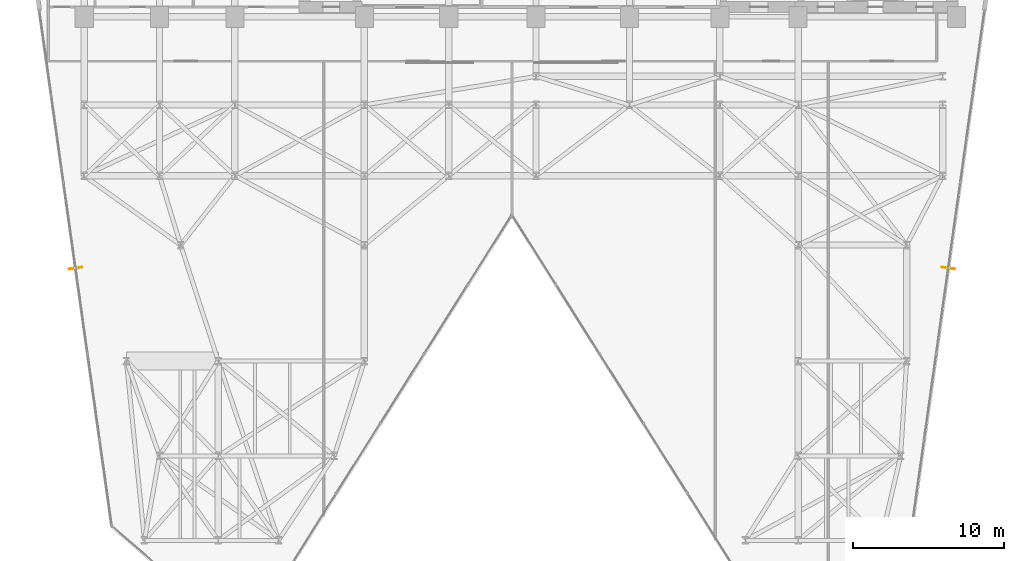
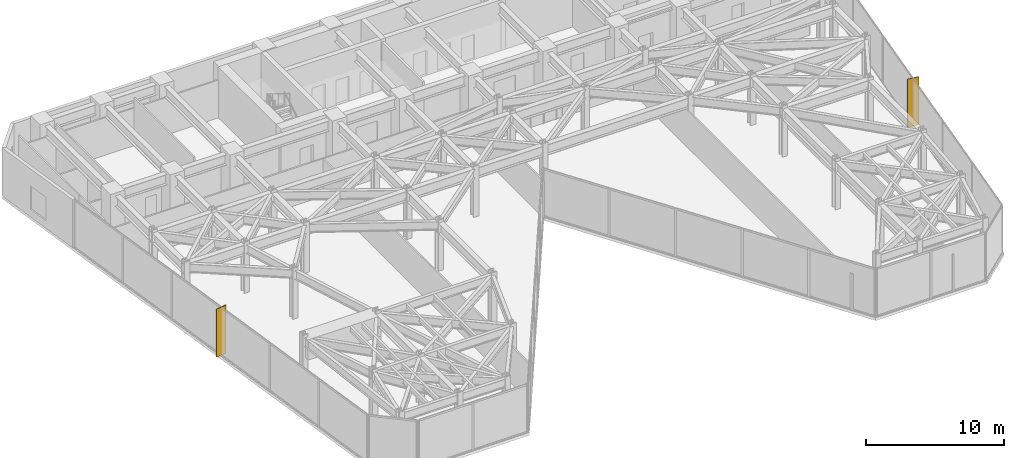
# One storey, part 26 of 28: 2 shading devices.
"""IFC4 building model written with IfcOpenShell, lengths in metres."""

import ifcopenshell
import ifcopenshell.guid

model = None  # the IFC model being written
_history = None  # IfcOwnerHistory: only IFC2X3 demands one
_inside = {}  # id of a spatial element -> (the spatial element, [elements in it])
_under = {}  # id of a project, library or spatial element -> (it, [spatial elements below it])
_declared = {}  # id of a project -> (the project, [libraries it declares])
_typed = {}  # id of a type object -> (the type object, [elements of that type])
_made_of = {}  # id of a material, layer set ... -> (it, [elements and type objects made of it])


def new_model(schema):
    """Start an empty IFC model of exactly this schema.

    Asked for "IFC4X3", IfcOpenShell would pick the latest addendum, in which some entities
    have other attributes; the version numbers below select the first issue.
    IFC2X3 requires an IfcOwnerHistory on every rooted entity: one is made here for all.
    """
    global model, _history
    if schema == "IFC4X3":
        model = ifcopenshell.file(schema_version=(4, 3, 0, 0))
    else:
        model = ifcopenshell.file(schema=schema)
    _inside.clear()
    _under.clear()
    _declared.clear()
    _typed.clear()
    _made_of.clear()
    _history = None
    if model.schema == "IFC2X3":
        org = make("IfcOrganization", Name="unknown")
        user = make(
            "IfcPersonAndOrganization",
            ThePerson=make("IfcPerson", FamilyName="unknown"),
            TheOrganization=org,
        )
        app = make(
            "IfcApplication",
            ApplicationDeveloper=org,
            Version="unknown",
            ApplicationFullName="unknown",
            ApplicationIdentifier="unknown",
        )
        _history = make(
            "IfcOwnerHistory",
            OwningUser=user,
            OwningApplication=app,
            ChangeAction="ADDED",
            CreationDate=0,
        )
    return model


def make(cls, **values):
    """One entity of the class cls with the attributes given. An attribute that is None is left unset."""
    return model.create_entity(
        cls, **{name: value for name, value in values.items() if value is not None}
    )


def rooted(cls, **values):
    """An entity with a GlobalId (a new one), such as an element, a storey or a relation."""
    return make(cls, GlobalId=ifcopenshell.guid.new(), OwnerHistory=_history, **values)


def si_unit(unit_type, name, prefix=None):
    """IfcSIUnit, for example si_unit("LENGTHUNIT", "METRE", prefix="MILLI")."""
    return make("IfcSIUnit", UnitType=unit_type, Prefix=prefix, Name=name)


def assignment(units):
    """IfcUnitAssignment: the units of a project."""
    return None if units is None else make("IfcUnitAssignment", Units=units)


def point(xyz):
    """IfcCartesianPoint."""
    return None if xyz is None else make("IfcCartesianPoint", Coordinates=xyz)


def direction(xyz):
    """IfcDirection."""
    return None if xyz is None else make("IfcDirection", DirectionRatios=xyz)


def frame(location, z_axis=None, x_axis=None):
    """IfcAxis2Placement3D, a coordinate frame: its origin and axes. An axis left out is left unset."""
    return make(
        "IfcAxis2Placement3D",
        Location=point(location),
        Axis=direction(z_axis),
        RefDirection=direction(x_axis),
    )


def frame_2d(location, x_axis=None):
    """IfcAxis2Placement2D, a coordinate frame in the plane: its origin and x axis."""
    return make(
        "IfcAxis2Placement2D", Location=point(location), RefDirection=direction(x_axis)
    )


def origin():
    """The frame at (0, 0, 0) with its axes left unset."""
    return frame((0.0, 0.0, 0.0))


def origin_2d():
    """The frame at (0, 0) in the plane with its x axis left unset."""
    return frame_2d((0.0, 0.0))


def place(relative_to, where):
    """IfcLocalPlacement: puts the frame where relative to a parent placement (None: the world)."""
    return make(
        "IfcLocalPlacement", PlacementRelTo=relative_to, RelativePlacement=where
    )


def context(
    kind, dimensions, precision=None, world=None, true_north=None, identifier=None
):
    """IfcGeometricRepresentationContext, for example the 3D "Model" context."""
    return make(
        "IfcGeometricRepresentationContext",
        ContextIdentifier=identifier,
        ContextType=kind,
        CoordinateSpaceDimension=dimensions,
        Precision=precision,
        WorldCoordinateSystem=world,
        TrueNorth=true_north,
    )


def subcontext(parent, identifier, kind, view, scale=None):
    """IfcGeometricRepresentationSubContext, for example "Body" below "Model"."""
    return make(
        "IfcGeometricRepresentationSubContext",
        ContextIdentifier=identifier,
        ContextType=kind,
        ParentContext=parent,
        TargetScale=scale,
        TargetView=view,
    )


def project(units=None, contexts=None):
    """IfcProject with its units and contexts."""
    return rooted(
        "IfcProject",
        Name="project",
        RepresentationContexts=contexts,
        UnitsInContext=assignment(units),
    )


def spatial(cls, under=None, at=None, **own):
    """A site, building, storey or space (cls), placed at a placement, below another one or the project."""
    s = rooted(cls, ObjectPlacement=at, **own)
    if under is not None:
        _under.setdefault(under.id(), (under, []))[1].append(s)
    return s


def profile(cls, at=None, kind="AREA", **sizes):
    """A parametric profile (cls). Its sizes go by their IFC names, for example OverallWidth=200.0."""
    return make(cls, ProfileType=kind, Position=at, **sizes)


def rectangle(**sizes):
    """IfcRectangleProfileDef."""
    return profile("IfcRectangleProfileDef", **sizes)


def extrude(swept, where, along, depth):
    """IfcExtrudedAreaSolid: the profile swept, set in the frame where, extruded along a direction by depth."""
    return make(
        "IfcExtrudedAreaSolid",
        SweptArea=swept,
        Position=where,
        ExtrudedDirection=direction(along),
        Depth=depth,
    )


def shape(context_of_items, identifier, shape_type, items):
    """IfcShapeRepresentation: the items that make up one representation, for example the "Body"."""
    return make(
        "IfcShapeRepresentation",
        ContextOfItems=context_of_items,
        RepresentationIdentifier=identifier,
        RepresentationType=shape_type,
        Items=items,
    )


def material(Name=None, Category=None):
    """IfcMaterial."""
    return make("IfcMaterial", Name=Name, Category=Category)


def layer(
    of_material, thickness, ventilated=None, Name=None, Category=None, Priority=None
):
    """IfcMaterialLayer: one layer of a wall or slab, of a material (None: an air gap)."""
    return make(
        "IfcMaterialLayer",
        Material=of_material,
        LayerThickness=thickness,
        IsVentilated=ventilated,
        Name=Name,
        Category=Category,
        Priority=Priority,
    )


def layer_set(layers, Name=None):
    """IfcMaterialLayerSet."""
    return make("IfcMaterialLayerSet", MaterialLayers=layers, LayerSetName=Name)


def made_of(thing, what):
    """Note that an element or type object is made of a material, layer set ...; save() writes the relation."""
    if what is not None:
        _made_of.setdefault(what.id(), (what, []))[1].append(thing)
    return thing


def type_object(cls, material=None, **own):
    """A type object (cls), such as IfcWallType, which elements share."""
    return made_of(rooted(cls, **own), material)


def element(
    cls,
    number,
    at=None,
    inside=None,
    cuts=None,
    type_object=None,
    material=None,
    context=None,
    identifier="Body",
    shape_type=None,
    held_by="IfcProductDefinitionShape",
    body=None,
    shapes=None,
    **own,
):
    """One element of the class cls, such as IfcWall. Its Tag is "e" and its number.

    at: its placement. inside: the storey or other place that contains it. cuts: it is an
    opening in that element (IfcRelVoidsElement). A single representation is given by context,
    identifier, shape_type and body (its items); several are given by shapes. held_by: the class
    of the entity that holds the representations. save() writes the other relations.
    """
    e = rooted(cls, Tag="e%d" % number, ObjectPlacement=at, **own)
    if body is not None:
        shapes = [shape(context, identifier, shape_type, body)]
    if shapes is not None:
        e.Representation = make(held_by, Representations=shapes)
    if inside is not None:
        _inside.setdefault(inside.id(), (inside, []))[1].append(e)
    if cuts is not None:
        rooted(
            "IfcRelVoidsElement", RelatingBuildingElement=cuts, RelatedOpeningElement=e
        )
    if type_object is not None:
        _typed.setdefault(type_object.id(), (type_object, []))[1].append(e)
    return made_of(e, material)


def aggregate(whole, parts):
    """IfcRelAggregates: a whole, such as a stair, and the parts it consists of."""
    return rooted("IfcRelAggregates", RelatingObject=whole, RelatedObjects=parts)


def save(model, path):
    """Write the relations noted so far, then the file.

    IfcRelAggregates (storeys below a building ...), IfcRelContainedInSpatialStructure (elements
    in a storey), IfcRelDefinesByType, IfcRelAssociatesMaterial and IfcRelDeclares: one each for
    every whole, place, type object, material and project.
    """
    for whole, parts in _under.values():
        aggregate(whole, parts)
    for where, things in _inside.values():
        rooted(
            "IfcRelContainedInSpatialStructure",
            RelatedElements=things,
            RelatingStructure=where,
        )
    for kind, things in _typed.values():
        rooted("IfcRelDefinesByType", RelatedObjects=things, RelatingType=kind)
    for what, things in _made_of.values():
        rooted("IfcRelAssociatesMaterial", RelatedObjects=things, RelatingMaterial=what)
    for by, libraries in _declared.values():
        rooted("IfcRelDeclares", RelatingContext=by, RelatedDefinitions=libraries)
    model.write(path)


model = new_model("IFC4")

# Units and contexts
model_context = context("Model", 3, precision=1e-05, world=origin(), true_north=direction((0.0, 1.0)))
body_context = subcontext(model_context, "Body", "Model", "MODEL_VIEW")
ifc_project = project(units=[si_unit("LENGTHUNIT", "METRE"), si_unit("AREAUNIT", "SQUARE_METRE"), si_unit("VOLUMEUNIT", "CUBIC_METRE"), si_unit("PLANEANGLEUNIT", "RADIAN"), si_unit("MASSUNIT", "GRAM", prefix="KILO")], contexts=[model_context])

# Site, building, storey
site_placement = place(None, origin())
site = spatial("IfcSite", under=ifc_project, at=site_placement, CompositionType="ELEMENT")
building_placement = place(site_placement, origin())
building = spatial("IfcBuilding", under=site, at=building_placement, Name="Kravanh Interchange Tower", CompositionType="ELEMENT")
storey_placement = place(building_placement, frame((0.0, 0.0, 91.5)))
storey = spatial("IfcBuildingStorey", under=building, at=storey_placement, Name="L21", CompositionType="ELEMENT", Elevation=91.5)

# Shading devices
ifc_material = material(Name="Anodised Champagne Bronze Aluminium", Category="aluminium")
ifc_layer = layer(ifc_material, 0.06005859375)
ifc_layer_set = layer_set([ifc_layer], Name="Vertical Bronze Solar Fin 900mm")
shading_device_type = type_object("IfcShadingDeviceType", Name="Vertical Bronze Solar Fin 900mm", PredefinedType="USERDEFINED", material=ifc_layer_set)
for number, where, z_axis, x_axis, name in (
    (1, (8.03271484375, 20.66845703125, 0.0), (0.0, 0.0, 1.0), (-0.990267798532, -0.139175023587, 0.0), "L21 BRONZE SOLAR FIN 1"),
    (2, (65.96728515625, 20.66845703125, 0.0), (0.0, 0.0, 1.0), (0.990267798532, -0.139175023587, 0.0), "L21 BRONZE SOLAR FIN 2"),
):
    element("IfcShadingDevice", number, at=place(storey_placement, frame(where, z_axis=z_axis, x_axis=x_axis)), inside=storey, type_object=shading_device_type, Name=name, ObjectType="FIN", PredefinedType="USERDEFINED", context=body_context, shape_type="SweptSolid", body=[
        extrude(rectangle(XDim=0.89990234375, YDim=0.06005859375, at=origin_2d()), origin(), (0.0, 0.0, 1.0), 4.25),
    ])

save(model, "model.ifc")
